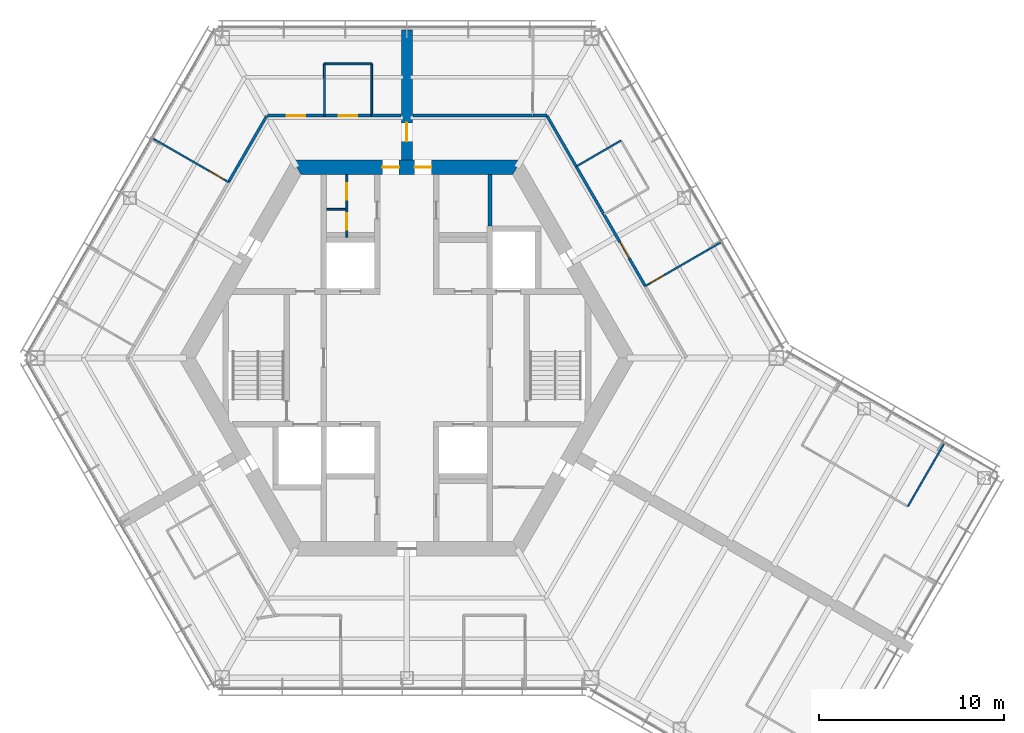
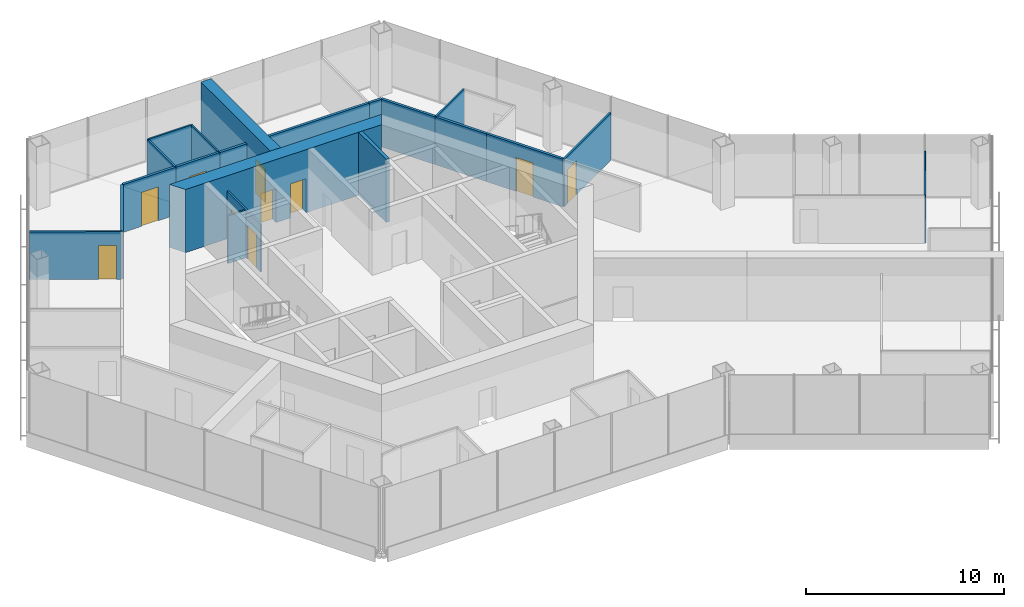
# One storey, part 12 of 16: 21 walls, 10 doors, 10 openings.
"""IFC4 building model written with IfcOpenShell, lengths in metres."""

from ifc_helpers import new_model, si_unit, direction, frame, frame_2d, origin, place, context, subcontext, project, spatial, polyline, rectangle, outline, extrude, material, layer, layer_set, type_object, element, fill, save


model = new_model("IFC4")

# Units and contexts
model_context = context("Model", 3, precision=1e-05, world=origin(), true_north=direction((0.0, 1.0)))
body_context = subcontext(model_context, "Body", "Model", "MODEL_VIEW")
ifc_project = project(units=[si_unit("LENGTHUNIT", "METRE"), si_unit("AREAUNIT", "SQUARE_METRE"), si_unit("VOLUMEUNIT", "CUBIC_METRE"), si_unit("PLANEANGLEUNIT", "RADIAN"), si_unit("MASSUNIT", "GRAM", prefix="KILO")], contexts=[model_context])

# Site, building, storey
site_placement = place(None, origin())
site = spatial("IfcSite", under=ifc_project, at=site_placement, CompositionType="ELEMENT")
building_placement = place(site_placement, origin())
building = spatial("IfcBuilding", under=site, at=building_placement, Name="Kasaneha Research Tower", CompositionType="ELEMENT")
storey_placement = place(building_placement, frame((0.0, 0.0, 259.60009765625)))
storey = spatial("IfcBuildingStorey", under=building, at=storey_placement, Name="L65", CompositionType="ELEMENT", Elevation=259.60009765625)

# Wall, openings, doors
ifc_material_1 = material(Name="Concrete Fc60", Category="concrete")
ifc_layer_1 = layer(ifc_material_1, 0.800048828125)
ifc_layer_set_1 = layer_set([ifc_layer_1], Name="Core wall 800 Fc60")
wall_type_1 = type_object("IfcWallType", Name="Core wall 800 Fc60", PredefinedType="SHEAR", material=ifc_layer_set_1)
wall_1_placement = place(storey_placement, frame((5.961181640625, 10.324951171875, 0.0), z_axis=(0.0, 0.0, 1.0), x_axis=(-1.0, 0.0, 0.0)))
wall_1 = element("IfcWall", 1, at=wall_1_placement, inside=storey, type_object=wall_type_1, Name="Core wall 090 L65", PredefinedType="SHEAR", context=body_context, shape_type="SweptSolid", body=[
    extrude(outline(polyline([(-0.23095703125, -0.39990234375), (4.63623046875, -0.39990234375), (5.5361328125, -0.39990234375), (6.38623046875, -0.39990234375), (7.2861328125, -0.39990234375), (12.1533203125, -0.39990234375), (11.69140625, 0.39990234375), (7.2861328125, 0.39990234375), (6.38623046875, 0.39990234375), (5.5361328125, 0.39990234375), (4.63623046875, 0.39990234375), (0.23095703125, 0.39990234375), (-0.23095703125, -0.39990234375)])), origin(), (0.0, 0.0, 1.0), 3.89990234375),
])
opening_1_placement = place(wall_1_placement, frame((6.38623046875, 0.0, 0.0)))
opening_1 = element("IfcOpeningElement", 2, at=opening_1_placement, cuts=wall_1, Name="Opening L65-D01", PredefinedType="OPENING", context=body_context, shape_type="SweptSolid", body=[
    extrude(rectangle(XDim=0.89990234375, YDim=2.10009765625, at=frame_2d((0.449951171875, 1.050048828125))), frame((0.0, 0.41015625, 0.0), z_axis=(0.0, -1.0, 0.0), x_axis=(1.0, 0.0, 0.0)), (0.0, 0.0, 1.0), 0.820068359375),
])
opening_2_placement = place(wall_1_placement, frame((4.63623046875, 0.0, 0.0)))
opening_2 = element("IfcOpeningElement", 3, at=opening_2_placement, cuts=wall_1, Name="Opening L65-D02", PredefinedType="OPENING", context=body_context, shape_type="SweptSolid", body=[
    extrude(rectangle(XDim=0.89990234375, YDim=2.10009765625, at=frame_2d((0.449951171875, 1.050048828125))), frame((0.0, 0.41015625, 0.0), z_axis=(0.0, -1.0, 0.0), x_axis=(1.0, 0.0, 0.0)), (0.0, 0.0, 1.0), 0.820068359375),
])
ifc_material_2 = material(Name="Steel", Category="steel")
door_type_1 = type_object("IfcDoorType", Name="Toilet door FD20 900x2100", OperationType="NOTDEFINED", PredefinedType="DOOR", material=ifc_material_2)
door_1_placement = place(opening_1_placement, origin())
door_1 = element("IfcDoor", 4, at=door_1_placement, inside=storey, type_object=door_type_1, Name="Core door north 1 L65-D01", OperationType="SINGLE_SWING_RIGHT", OverallHeight=2.10009765625, OverallWidth=0.89990234375, PredefinedType="DOOR", context=body_context, shape_type="SweptSolid", body=[
    extrude(rectangle(XDim=0.89990234375, YDim=2.10009765625, at=frame_2d((0.449951171875, 1.050048828125))), frame((0.0, 0.02490234375, 0.0), z_axis=(0.0, -1.0, 0.0), x_axis=(1.0, 0.0, 0.0)), (0.0, 0.0, 1.0), 0.050048828125),
])
fill(opening_1, door_1)
door_2_placement = place(opening_2_placement, origin())
door_2 = element("IfcDoor", 5, at=door_2_placement, inside=storey, type_object=door_type_1, Name="Core door north 2 L65-D02", OperationType="SINGLE_SWING_LEFT", OverallHeight=2.10009765625, OverallWidth=0.89990234375, PredefinedType="DOOR", context=body_context, shape_type="SweptSolid", body=[
    extrude(rectangle(XDim=0.89990234375, YDim=2.10009765625, at=frame_2d((0.449951171875, 1.050048828125))), frame((0.0, 0.02490234375, 0.0), z_axis=(0.0, -1.0, 0.0), x_axis=(1.0, 0.0, 0.0)), (0.0, 0.0, 1.0), 0.050048828125),
])
fill(opening_2, door_2)

ifc_material_3 = material(Name="Gypsum board on steel studs, one layer each side", Category="steel")
ifc_layer_2 = layer(ifc_material_3, 0.10009765625)
ifc_layer_set_2 = layer_set([ifc_layer_2], Name="Office partition 100")
wall_type_2 = type_object("IfcWallType", Name="Office partition 100", PredefinedType="PARTITIONING", material=ifc_layer_set_2)
wall_2_placement = place(storey_placement, frame((-3.25, 6.550048828125, 0.0), z_axis=(0.0, 0.0, 1.0), x_axis=(0.0, 1.0, 0.0)))
wall_2 = element("IfcWall", 6, at=wall_2_placement, inside=storey, type_object=wall_type_2, Name="Office partition TBM1 L65", PredefinedType="PARTITIONING", context=body_context, shape_type="SweptSolid", body=[
    extrude(rectangle(XDim=3.375, YDim=0.10009765625, at=frame_2d((1.6875, 0.0))), origin(), (0.0, 0.0, 1.0), 2.949951171875),
])
opening_3_placement = place(wall_2_placement, frame((2.012451171875, 0.0, 0.0)))
opening_3 = element("IfcOpeningElement", 7, at=opening_3_placement, cuts=wall_2, Name="Opening L65-D21", PredefinedType="OPENING", context=body_context, shape_type="SweptSolid", body=[
    extrude(rectangle(XDim=0.89990234375, YDim=2.10009765625, at=frame_2d((0.449951171875, 1.050048828125))), frame((0.0, 0.06005859375, 0.0), z_axis=(0.0, -1.0, 0.0), x_axis=(1.0, 0.0, 0.0)), (0.0, 0.0, 1.0), 0.1201171875),
])
opening_4_placement = place(wall_2_placement, frame((0.39990234375, 0.0, 0.0)))
opening_4 = element("IfcOpeningElement", 8, at=opening_4_placement, cuts=wall_2, Name="Opening L65-D22", PredefinedType="OPENING", context=body_context, shape_type="SweptSolid", body=[
    extrude(rectangle(XDim=0.89990234375, YDim=2.10009765625, at=frame_2d((0.449951171875, 1.050048828125))), frame((0.0, 0.06005859375, 0.0), z_axis=(0.0, -1.0, 0.0), x_axis=(1.0, 0.0, 0.0)), (0.0, 0.0, 1.0), 0.1201171875),
])
ifc_material_4 = material(Name="Steel", Category="steel")
door_type_2 = type_object("IfcDoorType", Name="Toilet lobby door FD30 900x2100", OperationType="NOTDEFINED", PredefinedType="DOOR", material=ifc_material_4)
door_3_placement = place(opening_3_placement, origin())
door_3 = element("IfcDoor", 9, at=door_3_placement, inside=storey, type_object=door_type_2, Name="Men's WC door L65-D21", OperationType="SINGLE_SWING_RIGHT", OverallHeight=2.10009765625, OverallWidth=0.89990234375, PredefinedType="DOOR", context=body_context, shape_type="SweptSolid", body=[
    extrude(rectangle(XDim=0.89990234375, YDim=2.10009765625, at=frame_2d((0.449951171875, 1.050048828125))), frame((0.0, 0.02490234375, 0.0), z_axis=(0.0, -1.0, 0.0), x_axis=(1.0, 0.0, 0.0)), (0.0, 0.0, 1.0), 0.050048828125),
])
fill(opening_3, door_3)
door_4_placement = place(opening_4_placement, origin())
door_4 = element("IfcDoor", 10, at=door_4_placement, inside=storey, type_object=door_type_2, Name="Cleaner's store door L65-D22", OperationType="SINGLE_SWING_RIGHT", OverallHeight=2.10009765625, OverallWidth=0.89990234375, PredefinedType="DOOR", context=body_context, shape_type="SweptSolid", body=[
    extrude(rectangle(XDim=0.89990234375, YDim=2.10009765625, at=frame_2d((0.449951171875, 1.050048828125))), frame((0.0, 0.02490234375, 0.0), z_axis=(0.0, -1.0, 0.0), x_axis=(1.0, 0.0, 0.0)), (0.0, 0.0, 1.0), 0.050048828125),
])
fill(opening_4, door_4)

# Walls
wall_3_placement = place(storey_placement, frame((-3.300048828125, 8.050048828125, 0.0), z_axis=(0.0, 0.0, 1.0), x_axis=(-1.0, 0.0, 0.0)))
element("IfcWall", 11, at=wall_3_placement, inside=storey, type_object=wall_type_2, Name="Office partition TBM2 L65", PredefinedType="PARTITIONING", context=body_context, shape_type="SweptSolid", body=[
    extrude(rectangle(XDim=1.050048828125, YDim=0.10009765625, at=frame_2d((0.52490234375, 0.0))), origin(), (0.0, 0.0, 1.0), 2.949951171875),
])
wall_4_placement = place(storey_placement, frame((9.168701171875, 10.369140625, 0.0), z_axis=(0.0, 0.0, 1.0), x_axis=(0.865255114713, 0.501331812737, 0.0)))
element("IfcWall", 12, at=wall_4_placement, inside=storey, type_object=wall_type_2, Name="Office partition FAE07 L65", PredefinedType="PARTITIONING", context=body_context, shape_type="SweptSolid", body=[
    extrude(rectangle(XDim=2.800048828125, YDim=0.10009765625, at=frame_2d((1.39990234375, 0.0))), origin(), (0.0, 0.0, 1.0), 2.949951171875),
])

# Wall, opening, door
wall_5_placement = place(storey_placement, frame((12.907470703125, 3.8935546875, 0.0), z_axis=(0.0, 0.0, 1.0), x_axis=(0.86555176604, 0.500819468776, 0.0)))
wall_5 = element("IfcWall", 13, at=wall_5_placement, inside=storey, type_object=wall_type_2, Name="Office partition FAE10 L65", PredefinedType="PARTITIONING", context=body_context, shape_type="SweptSolid", body=[
    extrude(rectangle(XDim=4.70556640625, YDim=0.10009765625, at=frame_2d((2.352783203125, 0.0))), origin(), (0.0, 0.0, 1.0), 2.949951171875),
])
opening_5_placement = place(wall_5_placement, frame((0.300048828125, 0.0, 0.0)))
opening_5 = element("IfcOpeningElement", 14, at=opening_5_placement, cuts=wall_5, Name="Opening L65-D26", PredefinedType="OPENING", context=body_context, shape_type="SweptSolid", body=[
    extrude(rectangle(XDim=0.89990234375, YDim=2.10009765625, at=frame_2d((0.449951171875, 1.050048828125))), frame((0.0, 0.06005859375, 0.0), z_axis=(0.0, -1.0, 0.0), x_axis=(1.0, 0.0, 0.0)), (0.0, 0.0, 1.0), 0.1201171875),
])
ifc_material_5 = material(Name="Timber veneer", Category="wood")
door_type_3 = type_object("IfcDoorType", Name="Office door 900x2100", OperationType="SINGLE_SWING_LEFT", PredefinedType="DOOR", material=ifc_material_5)
door_5_placement = place(opening_5_placement, origin())
door_5 = element("IfcDoor", 15, at=door_5_placement, inside=storey, type_object=door_type_3, Name="Tatami reception room door L65-D26", OperationType="SINGLE_SWING_LEFT", OverallHeight=2.10009765625, OverallWidth=0.89990234375, PredefinedType="DOOR", context=body_context, shape_type="SweptSolid", body=[
    extrude(rectangle(XDim=0.89990234375, YDim=2.10009765625, at=frame_2d((0.449951171875, 1.050048828125))), frame((0.0, 0.02490234375, 0.0), z_axis=(0.0, -1.0, 0.0), x_axis=(1.0, 0.0, 0.0)), (0.0, 0.0, 1.0), 0.050048828125),
])
fill(opening_5, door_5)

# Walls
wall_6_placement = place(storey_placement, frame((-4.465087890625, 15.925048828125, 0.0), z_axis=(0.0, 0.0, 1.0), x_axis=(1.0, 0.0, 0.0)))
element("IfcWall", 16, at=wall_6_placement, inside=storey, type_object=wall_type_2, Name="Office partition FAW04 L65", PredefinedType="PARTITIONING", context=body_context, shape_type="SweptSolid", body=[
    extrude(rectangle(XDim=2.565185546875, YDim=0.10009765625, at=frame_2d((1.28271484375, 0.0))), origin(), (0.0, 0.0, 1.0), 2.949951171875),
])
for number, where, z_axis, x_axis, name in (
    (17, (-4.46044921875, 13.125, 0.0), (0.0, 0.0, 1.0), (-0.001656637364, 0.999998627775, 0.0), "Office partition FAW05 L65"),
    (18, (-1.89990234375, 15.925048828125, 0.0), (0.0, 0.0, 1.0), (-0.001656637364, -0.999998627775, 0.0), "Office partition FAW06 L65"),
):
    element("IfcWall", number, at=place(storey_placement, frame(where, z_axis=z_axis, x_axis=x_axis)), inside=storey, type_object=wall_type_2, Name=name, PredefinedType="PARTITIONING", context=body_context, shape_type="SweptSolid", body=[
        extrude(rectangle(XDim=2.800048828125, YDim=0.10009765625, at=frame_2d((1.39990234375, 0.0))), origin(), (0.0, 0.0, 1.0), 2.949951171875),
    ])

# Wall, opening, door
wall_7_placement = place(storey_placement, frame((-9.656494140625, 9.5244140625, 0.0), z_axis=(0.0, 0.0, 1.0), x_axis=(-0.866526579402, 0.499130931911, 0.0)))
wall_7 = element("IfcWall", 19, at=wall_7_placement, inside=storey, type_object=wall_type_2, Name="Office partition FBN06 L65", PredefinedType="PARTITIONING", context=body_context, shape_type="SweptSolid", body=[
    extrude(rectangle(XDim=4.705322265625, YDim=0.10009765625, at=frame_2d((2.3525390625, 0.0))), origin(), (0.0, 0.0, 1.0), 2.949951171875),
])
opening_6_placement = place(wall_7_placement, frame((0.300048828125, 0.0, 0.0)))
opening_6 = element("IfcOpeningElement", 20, at=opening_6_placement, cuts=wall_7, Name="Opening L65-D32", PredefinedType="OPENING", context=body_context, shape_type="SweptSolid", body=[
    extrude(rectangle(XDim=0.89990234375, YDim=2.10009765625, at=frame_2d((0.449951171875, 1.050048828125))), frame((0.0, 0.06005859375, 0.0), z_axis=(0.0, -1.0, 0.0), x_axis=(1.0, 0.0, 0.0)), (0.0, 0.0, 1.0), 0.1201171875),
])
door_6_placement = place(opening_6_placement, origin())
door_6 = element("IfcDoor", 21, at=door_6_placement, inside=storey, type_object=door_type_3, Name="Executive office door L65-D32", OperationType="SINGLE_SWING_LEFT", OverallHeight=2.10009765625, OverallWidth=0.89990234375, PredefinedType="DOOR", context=body_context, shape_type="SweptSolid", body=[
    extrude(rectangle(XDim=0.89990234375, YDim=2.10009765625, at=frame_2d((0.449951171875, 1.050048828125))), frame((0.0, 0.02490234375, 0.0), z_axis=(0.0, -1.0, 0.0), x_axis=(1.0, 0.0, 0.0)), (0.0, 0.0, 1.0), 0.050048828125),
])
fill(opening_6, door_6)

# Walls
wall_8_placement = place(storey_placement, frame((29.080078125, -4.6533203125, 0.0), z_axis=(0.0, 0.0, 1.0), x_axis=(-0.500007107024, -0.866021300503, 0.0)))
element("IfcWall", 22, at=wall_8_placement, inside=storey, type_object=wall_type_2, Name="Office partition FCE03 L65", PredefinedType="PARTITIONING", context=body_context, shape_type="SweptSolid", body=[
    extrude(rectangle(XDim=3.91015625, YDim=0.10009765625, at=frame_2d((1.955078125, 0.0))), origin(), (0.0, 0.0, 1.0), 2.949951171875),
])
ifc_material_6 = material(Name="Concrete block", Category="concrete")
ifc_layer_3 = layer(ifc_material_6, 0.199951171875)
ifc_layer_set_3 = layer_set([ifc_layer_3], Name="Riser enclosure wall 200")
wall_type_3 = type_object("IfcWallType", Name="Riser enclosure wall 200", PredefinedType="STANDARD", material=ifc_layer_set_3)
wall_9_placement = place(storey_placement, frame((4.5, 7.14990234375, 0.0), z_axis=(0.0, 0.0, 1.0), x_axis=(0.0, 1.0, 0.0)))
element("IfcWall", 23, at=wall_9_placement, inside=storey, type_object=wall_type_3, Name="Riser enclosure wall L65", PredefinedType="STANDARD", context=body_context, shape_type="SweptSolid", body=[
    extrude(rectangle(XDim=2.775146484375, YDim=0.199951171875, at=frame_2d((1.3876953125, 0.0))), origin(), (0.0, 0.0, 1.0), 3.89990234375),
])

# Wall, opening, door
ifc_material_7 = material(Name="Concrete Fc60", Category="concrete")
ifc_layer_4 = layer(ifc_material_7, 0.60009765625)
ifc_layer_set_4 = layer_set([ifc_layer_4], Name="Spine wall 600 Fc60")
wall_type_4 = type_object("IfcWallType", Name="Spine wall 600 Fc60", PredefinedType="SHEAR", material=ifc_layer_set_4)
wall_10_placement = place(storey_placement, frame((0.0, 10.72509765625, 0.0), z_axis=(0.0, 0.0, 1.0), x_axis=(0.0, 1.0, 0.0)))
wall_10 = element("IfcWall", 24, at=wall_10_placement, inside=storey, type_object=wall_type_4, Name="Spine wall A L65", PredefinedType="SHEAR", context=body_context, shape_type="SweptSolid", body=[
    extrude(rectangle(XDim=7.04541015625, YDim=0.60009765625, at=frame_2d((3.522705078125, 0.0))), origin(), (0.0, 0.0, 1.0), 3.89990234375),
])
opening_7_placement = place(wall_10_placement, frame((1.0, 0.0, 0.0)))
opening_7 = element("IfcOpeningElement", 25, at=opening_7_placement, cuts=wall_10, Name="Opening L65-D18", PredefinedType="OPENING", context=body_context, shape_type="SweptSolid", body=[
    extrude(rectangle(XDim=1.0, YDim=2.10009765625, at=frame_2d((0.5, 1.050048828125))), frame((0.0, 0.31005859375, 0.0), z_axis=(0.0, -1.0, 0.0), x_axis=(1.0, 0.0, 0.0)), (0.0, 0.0, 1.0), 0.6201171875),
])
ifc_material_8 = material(Name="Steel", Category="steel")
door_type_4 = type_object("IfcDoorType", Name="Specified fire door FD60 1000x2100", OperationType="NOTDEFINED", PredefinedType="DOOR", material=ifc_material_8)
door_7_placement = place(opening_7_placement, origin())
door_7 = element("IfcDoor", 26, at=door_7_placement, inside=storey, type_object=door_type_4, Name="Spine doorway A L65-D18", OperationType="SINGLE_SWING_LEFT", OverallHeight=2.10009765625, OverallWidth=1.0, PredefinedType="DOOR", context=body_context, shape_type="SweptSolid", body=[
    extrude(rectangle(XDim=1.0, YDim=2.10009765625, at=frame_2d((0.5, 1.050048828125))), frame((0.0, 0.02490234375, 0.0), z_axis=(0.0, -1.0, 0.0), x_axis=(1.0, 0.0, 0.0)), (0.0, 0.0, 1.0), 0.050048828125),
])
fill(opening_7, door_7)

# Walls
ifc_material_9 = material(Name="Gypsum board on steel studs, two layers each side", Category="steel")
ifc_layer_5 = layer(ifc_material_9, 0.14990234375)
ifc_layer_set_5 = layer_set([ifc_layer_5], Name="Suite partition 150")
wall_type_5 = type_object("IfcWallType", Name="Suite partition 150", PredefinedType="PARTITIONING", material=ifc_layer_set_5)
wall_11_placement = place(storey_placement, frame((9.1640625, 10.377197265625, 0.0), z_axis=(0.0, 0.0, 1.0), x_axis=(0.500038395149, -0.8660032352, 0.0)))
element("IfcWall", 27, at=wall_11_placement, inside=storey, type_object=wall_type_5, Name="Suite partition FAE01 L65", PredefinedType="PARTITIONING", context=body_context, shape_type="SweptSolid", body=[
    extrude(rectangle(XDim=3.010009765625, YDim=0.14990234375, at=frame_2d((1.5048828125, 0.0))), origin(), (0.0, 0.0, 1.0), 2.949951171875),
])
wall_12_placement = place(storey_placement, frame((0.320068359375, 13.125, 0.0), z_axis=(0.0, 0.0, 1.0), x_axis=(1.0, 0.0, 0.0)))
element("IfcWall", 28, at=wall_12_placement, inside=storey, type_object=wall_type_5, Name="Suite partition FAE03 L65", PredefinedType="PARTITIONING", context=body_context, shape_type="SweptSolid", body=[
    extrude(rectangle(XDim=6.515869140625, YDim=0.14990234375, at=frame_2d((3.2578125, 0.0))), origin(), (0.0, 0.0, 1.0), 2.949951171875),
])
wall_13_placement = place(storey_placement, frame((6.826416015625, 13.125, 0.0), z_axis=(0.0, 0.0, 1.0), x_axis=(1.0, 0.0, 0.0)))
element("IfcWall", 29, at=wall_13_placement, inside=storey, type_object=wall_type_5, Name="Suite partition FAE04 L65", PredefinedType="PARTITIONING", context=body_context, shape_type="SweptSolid", body=[
    extrude(rectangle(XDim=0.751220703125, YDim=0.14990234375, at=frame_2d((0.37548828125, 0.0))), origin(), (0.0, 0.0, 1.0), 2.949951171875),
])
wall_14_placement = place(storey_placement, frame((7.57763671875, 13.125, 0.0), z_axis=(0.0, 0.0, 1.0), x_axis=(0.499992528944, -0.866029717158, 0.0)))
element("IfcWall", 30, at=wall_14_placement, inside=storey, type_object=wall_type_5, Name="Suite partition FAE05 L65", PredefinedType="PARTITIONING", context=body_context, shape_type="SweptSolid", body=[
    extrude(rectangle(XDim=3.18212890625, YDim=0.14990234375, at=frame_2d((1.591064453125, 0.0))), origin(), (0.0, 0.0, 1.0), 2.949951171875),
])

# Wall, opening, door
wall_15_placement = place(storey_placement, frame((10.664306640625, 7.77880859375, 0.0), z_axis=(0.0, 0.0, 1.0), x_axis=(0.500001951578, -0.866024277037, 0.0)))
wall_15 = element("IfcWall", 31, at=wall_15_placement, inside=storey, type_object=wall_type_5, Name="Suite partition FAE06 L65", PredefinedType="PARTITIONING", context=body_context, shape_type="SweptSolid", body=[
    extrude(rectangle(XDim=4.486328125, YDim=0.14990234375, at=frame_2d((2.2431640625, 0.0))), origin(), (0.0, 0.0, 1.0), 2.949951171875),
])
opening_8_placement = place(wall_15_placement, frame((1.7431640625, 0.0, 0.0)))
opening_8 = element("IfcOpeningElement", 32, at=opening_8_placement, cuts=wall_15, Name="Opening L65-D24", PredefinedType="OPENING", context=body_context, shape_type="SweptSolid", body=[
    extrude(rectangle(XDim=1.0, YDim=2.10009765625, at=frame_2d((0.5, 1.050048828125))), frame((0.0, 0.0849609375, 0.0), z_axis=(0.0, -1.0, 0.0), x_axis=(1.0, 0.0, 0.0)), (0.0, 0.0, 1.0), 0.169921875),
])
ifc_material_10 = material(Name="Steel", Category="steel")
door_type_5 = type_object("IfcDoorType", Name="Suite entrance door FD60 1000x2100", OperationType="NOTDEFINED", PredefinedType="DOOR", material=ifc_material_10)
door_8_placement = place(opening_8_placement, origin())
door_8 = element("IfcDoor", 33, at=door_8_placement, inside=storey, type_object=door_type_5, Name="Suite entrance door L65-D24", OperationType="SINGLE_SWING_LEFT", OverallHeight=2.10009765625, OverallWidth=1.0, PredefinedType="DOOR", context=body_context, shape_type="SweptSolid", body=[
    extrude(rectangle(XDim=1.0, YDim=2.10009765625, at=frame_2d((0.5, 1.050048828125))), frame((0.0, 0.02490234375, 0.0), z_axis=(0.0, -1.0, 0.0), x_axis=(1.0, 0.0, 0.0)), (0.0, 0.0, 1.0), 0.050048828125),
])
fill(opening_8, door_8)

wall_16_placement = place(storey_placement, frame((-4.469970703125, 13.125, 0.0), z_axis=(0.0, 0.0, 1.0), x_axis=(1.0, 0.0, 0.0)))
wall_16 = element("IfcWall", 34, at=wall_16_placement, inside=storey, type_object=wall_type_5, Name="Suite partition FAW01 L65", PredefinedType="PARTITIONING", context=body_context, shape_type="SweptSolid", body=[
    extrude(rectangle(XDim=2.574951171875, YDim=0.14990234375, at=frame_2d((1.28759765625, 0.0))), origin(), (0.0, 0.0, 1.0), 2.949951171875),
])
opening_9_placement = place(wall_16_placement, frame((0.78759765625, 0.0, 0.0)))
opening_9 = element("IfcOpeningElement", 35, at=opening_9_placement, cuts=wall_16, Name="Opening L65-D28", PredefinedType="OPENING", context=body_context, shape_type="SweptSolid", body=[
    extrude(rectangle(XDim=1.0, YDim=2.10009765625, at=frame_2d((0.5, 1.050048828125))), frame((0.0, 0.0849609375, 0.0), z_axis=(0.0, -1.0, 0.0), x_axis=(1.0, 0.0, 0.0)), (0.0, 0.0, 1.0), 0.169921875),
])
door_9_placement = place(opening_9_placement, origin())
door_9 = element("IfcDoor", 36, at=door_9_placement, inside=storey, type_object=door_type_5, Name="Suite entrance door L65-D28", OperationType="SINGLE_SWING_RIGHT", OverallHeight=2.10009765625, OverallWidth=1.0, PredefinedType="DOOR", context=body_context, shape_type="SweptSolid", body=[
    extrude(rectangle(XDim=1.0, YDim=2.10009765625, at=frame_2d((0.5, 1.050048828125))), frame((0.0, 0.02490234375, 0.0), z_axis=(0.0, -1.0, 0.0), x_axis=(1.0, 0.0, 0.0)), (0.0, 0.0, 1.0), 0.050048828125),
])
fill(opening_9, door_9)

wall_17_placement = place(storey_placement, frame((-7.5546875, 13.125, 0.0), z_axis=(0.0, 0.0, 1.0), x_axis=(1.0, 0.0, 0.0)))
wall_17 = element("IfcWall", 37, at=wall_17_placement, inside=storey, type_object=wall_type_5, Name="Suite partition FAW02 L65", PredefinedType="PARTITIONING", context=body_context, shape_type="SweptSolid", body=[
    extrude(rectangle(XDim=3.09423828125, YDim=0.14990234375, at=frame_2d((1.547119140625, 0.0))), origin(), (0.0, 0.0, 1.0), 2.949951171875),
])
opening_10_placement = place(wall_17_placement, frame((1.047119140625, 0.0, 0.0)))
opening_10 = element("IfcOpeningElement", 38, at=opening_10_placement, cuts=wall_17, Name="Opening L65-D29", PredefinedType="OPENING", context=body_context, shape_type="SweptSolid", body=[
    extrude(rectangle(XDim=1.0, YDim=2.10009765625, at=frame_2d((0.5, 1.050048828125))), frame((0.0, 0.0849609375, 0.0), z_axis=(0.0, -1.0, 0.0), x_axis=(1.0, 0.0, 0.0)), (0.0, 0.0, 1.0), 0.169921875),
])
door_10_placement = place(opening_10_placement, origin())
door_10 = element("IfcDoor", 39, at=door_10_placement, inside=storey, type_object=door_type_5, Name="Suite entrance door L65-D29", OperationType="SINGLE_SWING_LEFT", OverallHeight=2.10009765625, OverallWidth=1.0, PredefinedType="DOOR", context=body_context, shape_type="SweptSolid", body=[
    extrude(rectangle(XDim=1.0, YDim=2.10009765625, at=frame_2d((0.5, 1.050048828125))), frame((0.0, 0.02490234375, 0.0), z_axis=(0.0, -1.0, 0.0), x_axis=(1.0, 0.0, 0.0)), (0.0, 0.0, 1.0), 0.050048828125),
])
fill(opening_10, door_10)

# Walls
wall_18_placement = place(storey_placement, frame((-1.904541015625, 13.125, 0.0), z_axis=(0.0, 0.0, 1.0), x_axis=(1.0, 0.0, 0.0)))
element("IfcWall", 40, at=wall_18_placement, inside=storey, type_object=wall_type_5, Name="Suite partition FAW03 L65", PredefinedType="PARTITIONING", context=body_context, shape_type="SweptSolid", body=[
    extrude(rectangle(XDim=1.58447265625, YDim=0.14990234375, at=frame_2d((0.792236328125, 0.0))), origin(), (0.0, 0.0, 1.0), 2.949951171875),
])
wall_19_placement = place(storey_placement, frame((-9.661376953125, 9.51611328125, 0.0), z_axis=(0.0, 0.0, 1.0), x_axis=(0.499997836828, 0.866026652689, 0.0)))
element("IfcWall", 41, at=wall_19_placement, inside=storey, type_object=wall_type_5, Name="Suite partition FBN01 L65", PredefinedType="PARTITIONING", context=body_context, shape_type="SweptSolid", body=[
    extrude(rectangle(XDim=4.14404296875, YDim=0.14990234375, at=frame_2d((2.072021484375, 0.0))), origin(), (0.0, 0.0, 1.0), 2.949951171875),
])

save(model, "model.ifc")
